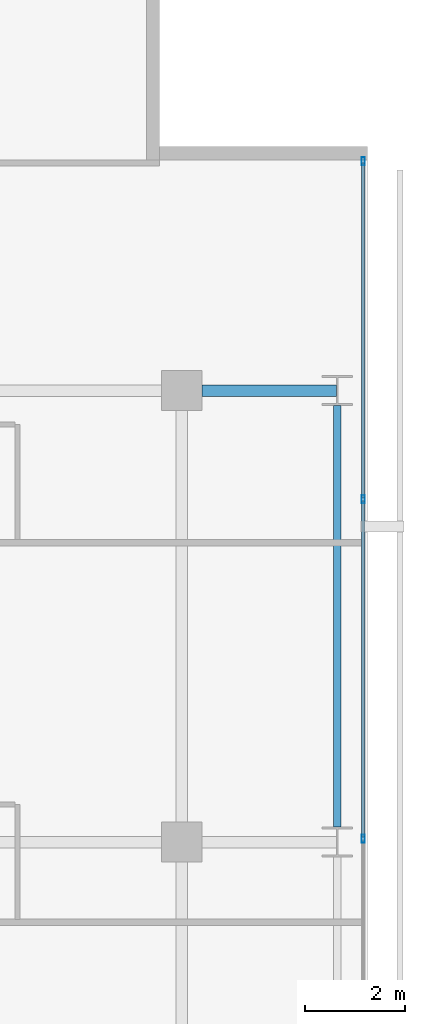
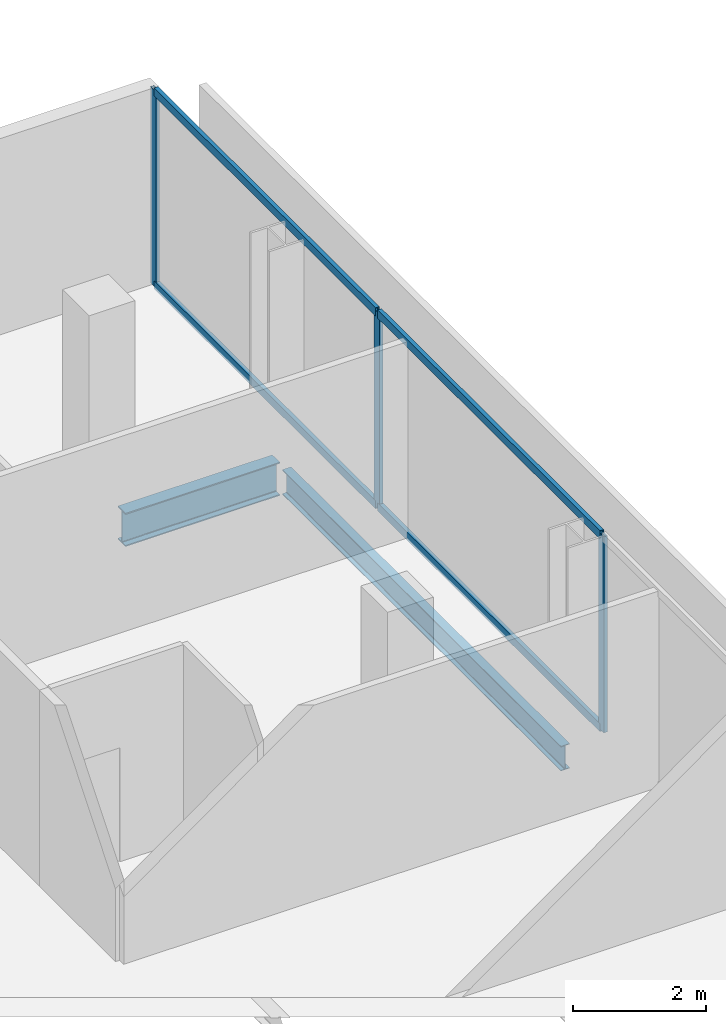
# One storey, part 24 of 34: 7 members, 2 beams, 1 element without a shape of its own.
"""IFC4 building model written with IfcOpenShell, lengths in metres."""

from ifc_helpers import new_model, si_unit, direction, frame, origin, origin_2d, place, context, subcontext, project, spatial, hollow_rectangle, i_section, extrude, material, layer, layer_set, material_profile, profile_set, type_object, element, aggregate, save


model = new_model("IFC4")

# Units and contexts
model_context = context("Model", 3, precision=1e-05, world=origin(), true_north=direction((0.0, 1.0)))
body_context = subcontext(model_context, "Body", "Model", "MODEL_VIEW")
ifc_project = project(units=[si_unit("LENGTHUNIT", "METRE"), si_unit("AREAUNIT", "SQUARE_METRE"), si_unit("VOLUMEUNIT", "CUBIC_METRE"), si_unit("PLANEANGLEUNIT", "RADIAN"), si_unit("MASSUNIT", "GRAM", prefix="KILO")], contexts=[model_context])

# Site, building, storey
site_placement = place(None, origin())
site = spatial("IfcSite", under=ifc_project, at=site_placement, CompositionType="ELEMENT")
building_placement = place(site_placement, origin())
building = spatial("IfcBuilding", under=site, at=building_placement, Name="Maruvema Waterfront Hotel and Observation Tower", CompositionType="ELEMENT")
storey_placement = place(building_placement, frame((0.0, 0.0, 127.39990234375)))
storey = spatial("IfcBuildingStorey", under=building, at=storey_placement, Name="L30", CompositionType="ELEMENT", Elevation=127.39990234375)

# Curtain wall, members
ifc_material_1 = material(Name="Anodised bronze aluminium and solar-control low-E IGU", Category="aluminium")
ifc_layer = layer(ifc_material_1, 0.159912109375, Name="Zone 2 Amber Inner Thermal Curtain Wall System CW-03")
ifc_layer_set = layer_set([ifc_layer], Name="Anodised bronze aluminium and solar-control low-E IGU")
curtain_wall_type = type_object("IfcCurtainWallType", Name="Zone 2 Amber Inner Thermal Curtain Wall System CW-03", PredefinedType="USERDEFINED", material=ifc_layer_set)
curtain_wall_placement = place(storey_placement, origin())
curtain_wall = element("IfcCurtainWall", 1, at=curtain_wall_placement, inside=storey, type_object=curtain_wall_type, Name="L30 Curtain Wall CW-L30-E", ObjectType="UNITISED CURTAIN WALL", PredefinedType="USERDEFINED")
ifc_material_2 = material(Name="Anodised architectural bronze aluminium", Category="aluminium")
ifc_material_profile_1 = material_profile(ifc_material_2, hollow_rectangle(XDim=0.070068359375, YDim=0.14990234375, WallThickness=0.00390625, at=origin_2d()), Name="ALU-T70x150")
ifc_profile_set_1 = profile_set([ifc_material_profile_1], Name="Anodised architectural bronze aluminium")
member_type_1 = type_object("IfcMemberType", Name="Curtain Wall Horizontal Transom ALU-T70x150", PredefinedType="USERDEFINED", material=ifc_profile_set_1)
member_1_placement = place(storey_placement, frame((62.419921875, 36.0966796875, 0.030029296875), z_axis=(0.0, 1.0, 0.0), x_axis=(-1.0, 0.0, 0.0)))
member_1 = element("IfcMember", 2, at=member_1_placement, type_object=member_type_1, Name="CW-03 transom 5.1", ObjectType="TRANSOM", PredefinedType="USERDEFINED", context=body_context, shape_type="SweptSolid", body=[
    extrude(hollow_rectangle(XDim=0.070068359375, YDim=0.14990234375, WallThickness=0.00390625, at=origin_2d()), origin(), (0.0, 0.0, 1.0), 6.70654296875),
])
member_2_placement = place(storey_placement, frame((62.419921875, 36.0966796875, 3.580078125), z_axis=(0.0, 1.0, 0.0), x_axis=(-1.0, 0.0, 0.0)))
member_2 = element("IfcMember", 3, at=member_2_placement, type_object=member_type_1, Name="CW-03 transom 5.2", ObjectType="TRANSOM", PredefinedType="USERDEFINED", context=body_context, shape_type="SweptSolid", body=[
    extrude(hollow_rectangle(XDim=0.070068359375, YDim=0.14990234375, WallThickness=0.00390625, at=origin_2d()), origin(), (0.0, 0.0, 1.0), 6.70654296875),
])
member_3_placement = place(storey_placement, frame((62.419921875, 42.86328125, 0.030029296875), z_axis=(0.0, 1.0, 0.0), x_axis=(-1.0, 0.0, 0.0)))
member_3 = element("IfcMember", 4, at=member_3_placement, type_object=member_type_1, Name="CW-03 transom 6.1", ObjectType="TRANSOM", PredefinedType="USERDEFINED", context=body_context, shape_type="SweptSolid", body=[
    extrude(hollow_rectangle(XDim=0.070068359375, YDim=0.14990234375, WallThickness=0.00390625, at=origin_2d()), origin(), (0.0, 0.0, 1.0), 6.6767578125),
])
member_4_placement = place(storey_placement, frame((62.419921875, 42.86328125, 3.580078125), z_axis=(0.0, 1.0, 0.0), x_axis=(-1.0, 0.0, 0.0)))
member_4 = element("IfcMember", 5, at=member_4_placement, type_object=member_type_1, Name="CW-03 transom 6.2", ObjectType="TRANSOM", PredefinedType="USERDEFINED", context=body_context, shape_type="SweptSolid", body=[
    extrude(hollow_rectangle(XDim=0.070068359375, YDim=0.14990234375, WallThickness=0.00390625, at=origin_2d()), origin(), (0.0, 0.0, 1.0), 6.6767578125),
])
ifc_material_3 = material(Name="Anodised architectural bronze aluminium", Category="aluminium")
ifc_material_profile_2 = material_profile(ifc_material_3, hollow_rectangle(XDim=0.06494140625, YDim=0.1650390625, WallThickness=0.00390625, at=origin_2d()), Name="ALU-M65x165")
ifc_profile_set_2 = profile_set([ifc_material_profile_2], Name="Anodised architectural bronze aluminium")
member_type_2 = type_object("IfcMemberType", Name="Curtain Wall Primary Mullion ALU-M65x165", PredefinedType="MULLION", material=ifc_profile_set_2)
member_5_placement = place(storey_placement, frame((62.419921875, 36.066650390625, 0.0), z_axis=(0.0, 0.0, 1.0), x_axis=(-1.0, 0.0, 0.0)))
member_5 = element("IfcMember", 6, at=member_5_placement, type_object=member_type_2, Name="CW-03 mullion 5", PredefinedType="MULLION", context=body_context, shape_type="SweptSolid", body=[
    extrude(hollow_rectangle(XDim=0.06494140625, YDim=0.1650390625, WallThickness=0.00390625, at=origin_2d()), origin(), (0.0, 0.0, 1.0), 3.610107421875),
])
member_6_placement = place(storey_placement, frame((62.419921875, 42.833251953125, 0.0), z_axis=(0.0, 0.0, 1.0), x_axis=(-1.0, 0.0, 0.0)))
member_6 = element("IfcMember", 7, at=member_6_placement, type_object=member_type_2, Name="CW-03 mullion 6", PredefinedType="MULLION", context=body_context, shape_type="SweptSolid", body=[
    extrude(hollow_rectangle(XDim=0.06494140625, YDim=0.1650390625, WallThickness=0.00390625, at=origin_2d()), origin(), (0.0, 0.0, 1.0), 3.610107421875),
])
member_7_placement = place(storey_placement, frame((62.419921875, 49.570068359375, 0.0), z_axis=(0.0, 0.0, 1.0), x_axis=(-1.0, 0.0, 0.0)))
member_7 = element("IfcMember", 8, at=member_7_placement, type_object=member_type_2, Name="CW-03 mullion 7", PredefinedType="MULLION", context=body_context, shape_type="SweptSolid", body=[
    extrude(hollow_rectangle(XDim=0.06494140625, YDim=0.1650390625, WallThickness=0.00390625, at=origin_2d()), origin(), (0.0, 0.0, 1.0), 3.610107421875),
])
aggregate(curtain_wall, [member_5, member_6, member_7, member_1, member_2, member_3, member_4])

# Beams
ifc_material_4 = material(Name="Steel ASTM A572 Grade 50", Category="steel")
ifc_material_profile_3 = material_profile(ifc_material_4, i_section(OverallWidth=0.153076171875, OverallDepth=0.455078125, WebThickness=0.008056640625, FlangeThickness=0.01318359375, FilletRadius=0.014892578125, at=origin_2d()), Name="W460x60.0")
ifc_profile_set_3 = profile_set([ifc_material_profile_3], Name="Steel ASTM A572 Grade 50")
beam_type_1 = type_object("IfcBeamType", Name="Perimeter Spandrel Beam W460x60.0", PredefinedType="SPANDREL", material=ifc_profile_set_3)
beam_1_placement = place(storey_placement, frame((61.89990234375, 36.300048828125, -0.46728515625), z_axis=(0.0, 1.0, 0.0), x_axis=(-1.0, 0.0, 0.0)))
element("IfcBeam", 9, at=beam_1_placement, inside=storey, type_object=beam_type_1, Name="L30 Floor Girder NS-32", PredefinedType="SPANDREL", context=body_context, shape_type="SweptSolid", body=[
    extrude(i_section(OverallWidth=0.153076171875, OverallDepth=0.455078125, WebThickness=0.008056640625, FlangeThickness=0.01318359375, FilletRadius=0.014892578125, at=origin_2d()), origin(), (0.0, 0.0, 1.0), 8.39990234375),
])
ifc_material_5 = material(Name="Steel ASTM A572 Grade 50", Category="steel")
ifc_material_profile_4 = material_profile(ifc_material_5, i_section(OverallWidth=0.22900390625, OverallDepth=0.612060546875, WebThickness=0.011962890625, FlangeThickness=0.01953125, FilletRadius=0.01806640625, at=origin_2d()), Name="W610x125.0")
ifc_profile_set_4 = profile_set([ifc_material_profile_4], Name="Steel ASTM A572 Grade 50")
beam_type_2 = type_object("IfcBeamType", Name="Primary Floor Girder W610x125.0", PredefinedType="BEAM", material=ifc_profile_set_4)
beam_2_placement = place(storey_placement, frame((59.199951171875, 45.0, -0.5458984375), z_axis=(1.0, 0.0, 0.0), x_axis=(0.0, 1.0, 0.0)))
element("IfcBeam", 10, at=beam_2_placement, inside=storey, type_object=beam_type_2, Name="L30 Floor Girder EW-33", PredefinedType="BEAM", context=body_context, shape_type="SweptSolid", body=[
    extrude(i_section(OverallWidth=0.22900390625, OverallDepth=0.612060546875, WebThickness=0.011962890625, FlangeThickness=0.01953125, FilletRadius=0.01806640625, at=origin_2d()), origin(), (0.0, 0.0, 1.0), 2.6875),
])

save(model, "model.ifc")
